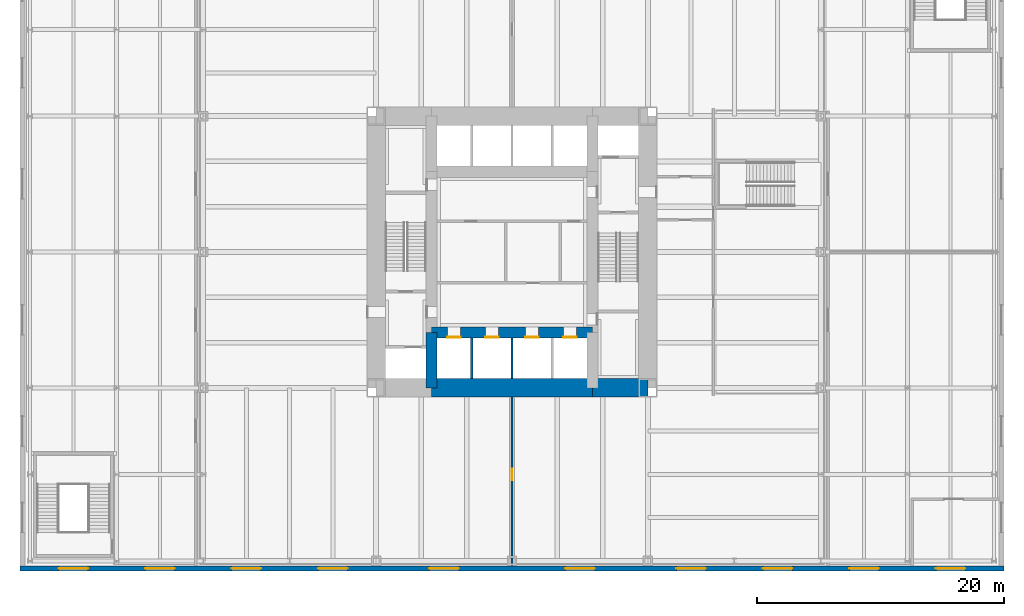
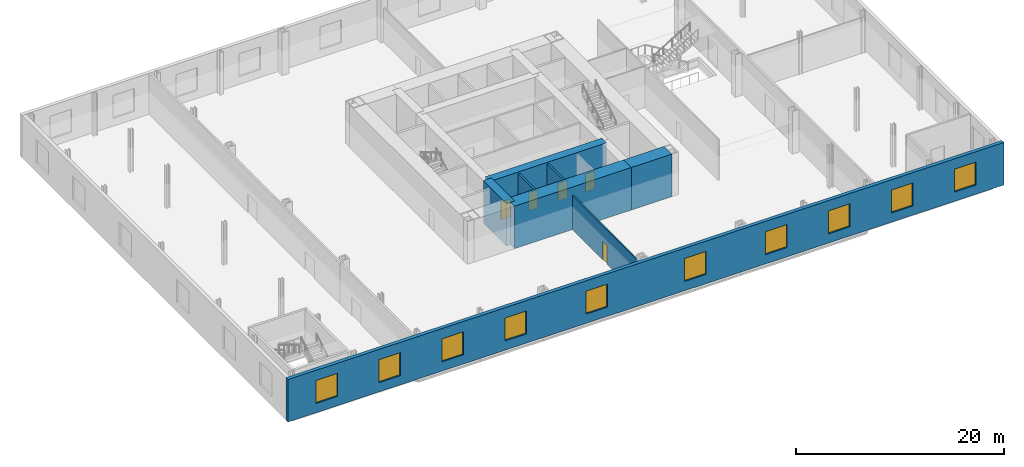
# One storey, part 8 of 13: 10 windows, 8 walls, 5 doors, 15 openings.
"""IFC4 building model written with IfcOpenShell, lengths in metres."""

from ifc_helpers import new_model, si_unit, direction, frame, frame_2d, origin, place, context, subcontext, project, spatial, rectangle, extrude, material, layer, layer_set, type_object, element, fill, save


model = new_model("IFC4")

# Units and contexts
model_context = context("Model", 3, precision=1e-05, world=origin(), true_north=direction((0.0, 1.0)))
body_context = subcontext(model_context, "Body", "Model", "MODEL_VIEW")
ifc_project = project(units=[si_unit("LENGTHUNIT", "METRE"), si_unit("AREAUNIT", "SQUARE_METRE"), si_unit("VOLUMEUNIT", "CUBIC_METRE"), si_unit("PLANEANGLEUNIT", "RADIAN"), si_unit("MASSUNIT", "GRAM", prefix="KILO")], contexts=[model_context])

# Site, building, storey
site_placement = place(None, origin())
site = spatial("IfcSite", under=ifc_project, at=site_placement, CompositionType="ELEMENT")
building_placement = place(site_placement, origin())
building = spatial("IfcBuilding", under=site, at=building_placement, Name="Trevanion Tower", CompositionType="ELEMENT")
storey_placement = place(building_placement, frame((0.0, 0.0, 6.0)))
storey = spatial("IfcBuildingStorey", under=building, at=storey_placement, Name="L01", CompositionType="ELEMENT", Elevation=6.0)

# Walls
ifc_material_1 = material(Name="Concrete 10,000 psi", Category="concrete")
ifc_layer_1 = layer(ifc_material_1, 1.5)
ifc_layer_set_1 = layer_set([ifc_layer_1], Name="CW1 core wall 1500")
wall_type_1 = type_object("IfcWallType", Name="CW1 core wall 1500", PredefinedType="SHEAR", material=ifc_layer_set_1)
wall_1_placement = place(storey_placement, frame((-6.5, -11.0, 0.0), z_axis=(0.0, 0.0, 1.0), x_axis=(1.0, 0.0, 0.0)))
element("IfcWall", 1, at=wall_1_placement, inside=storey, type_object=wall_type_1, Name="CW1 CS2 L01", PredefinedType="SHEAR", context=body_context, shape_type="SweptSolid", body=[
    extrude(rectangle(XDim=13.0, YDim=1.5, at=frame_2d((6.5, 0.0))), origin(), (0.0, 0.0, 1.0), 5.0),
])
wall_2_placement = place(storey_placement, frame((6.5, -11.0, 0.0), z_axis=(0.0, 0.0, 1.0), x_axis=(1.0, 0.0, 0.0)))
element("IfcWall", 2, at=wall_2_placement, inside=storey, type_object=wall_type_1, Name="CW1 CS3 L01", PredefinedType="SHEAR", context=body_context, shape_type="SweptSolid", body=[
    extrude(rectangle(XDim=4.5, YDim=1.5, at=frame_2d((2.25, 0.0))), origin(), (0.0, 0.0, 1.0), 5.0),
])
ifc_material_2 = material(Name="Concrete 10,000 psi", Category="concrete")
ifc_layer_2 = layer(ifc_material_2, 0.89990234375)
ifc_layer_set_2 = layer_set([ifc_layer_2], Name="CW2 core wall 900")
wall_type_2 = type_object("IfcWallType", Name="CW2 core wall 900", PredefinedType="SHEAR", material=ifc_layer_set_2)
wall_3_placement = place(storey_placement, frame((-6.5, -6.5, 0.0), z_axis=(0.0, 0.0, 1.0), x_axis=(0.0, -1.0, 0.0)))
element("IfcWall", 3, at=wall_3_placement, inside=storey, type_object=wall_type_2, Name="CW2 RW3 L01", PredefinedType="SHEAR", context=body_context, shape_type="SweptSolid", body=[
    extrude(rectangle(XDim=4.5, YDim=0.89990234375, at=frame_2d((2.25, 0.0))), origin(), (0.0, 0.0, 1.0), 5.0),
])

# Wall, openings, doors
wall_4_placement = place(storey_placement, frame((-6.5, -6.5, 0.0), z_axis=(0.0, 0.0, 1.0), x_axis=(1.0, 0.0, 0.0)))
wall_4 = element("IfcWall", 4, at=wall_4_placement, inside=storey, type_object=wall_type_2, Name="CW2 RS L01", PredefinedType="SHEAR", context=body_context, shape_type="SweptSolid", body=[
    extrude(rectangle(XDim=13.0, YDim=0.89990234375, at=frame_2d((6.5, 0.0))), origin(), (0.0, 0.0, 1.0), 5.0),
])
opening_1_placement = place(wall_4_placement, frame((1.2666015625, 0.0, 0.0)))
opening_1 = element("IfcOpeningElement", 5, at=opening_1_placement, cuts=wall_4, Name="Opening 01-011", PredefinedType="OPENING", context=body_context, shape_type="SweptSolid", body=[
    extrude(rectangle(XDim=1.06689453125, YDim=2.134033203125, at=frame_2d((0.533447265625, 1.06689453125))), frame((0.0, 0.4599609375, 0.0), z_axis=(0.0, -1.0, 0.0), x_axis=(1.0, 0.0, 0.0)), (0.0, 0.0, 1.0), 0.919921875),
])
opening_2_placement = place(wall_4_placement, frame((4.341552734375, 0.0, 0.0)))
opening_2 = element("IfcOpeningElement", 6, at=opening_2_placement, cuts=wall_4, Name="Opening 01-012", PredefinedType="OPENING", context=body_context, shape_type="SweptSolid", body=[
    extrude(rectangle(XDim=1.06689453125, YDim=2.134033203125, at=frame_2d((0.533447265625, 1.06689453125))), frame((0.0, 0.4599609375, 0.0), z_axis=(0.0, -1.0, 0.0), x_axis=(1.0, 0.0, 0.0)), (0.0, 0.0, 1.0), 0.919921875),
])
opening_3_placement = place(wall_4_placement, frame((7.591552734375, 0.0, 0.0)))
opening_3 = element("IfcOpeningElement", 7, at=opening_3_placement, cuts=wall_4, Name="Opening 01-013", PredefinedType="OPENING", context=body_context, shape_type="SweptSolid", body=[
    extrude(rectangle(XDim=1.06689453125, YDim=2.134033203125, at=frame_2d((0.533447265625, 1.06689453125))), frame((0.0, 0.4599609375, 0.0), z_axis=(0.0, -1.0, 0.0), x_axis=(1.0, 0.0, 0.0)), (0.0, 0.0, 1.0), 0.919921875),
])
opening_4_placement = place(wall_4_placement, frame((10.66650390625, 0.0, 0.0)))
opening_4 = element("IfcOpeningElement", 8, at=opening_4_placement, cuts=wall_4, Name="Opening 01-014", PredefinedType="OPENING", context=body_context, shape_type="SweptSolid", body=[
    extrude(rectangle(XDim=1.06689453125, YDim=2.134033203125, at=frame_2d((0.533447265625, 1.06689453125))), frame((0.0, 0.4599609375, 0.0), z_axis=(0.0, -1.0, 0.0), x_axis=(1.0, 0.0, 0.0)), (0.0, 0.0, 1.0), 0.919921875),
])
ifc_material_3 = material(Name="Stainless steel, fire rated", Category="steel")
door_type_1 = type_object("IfcDoorType", Name="LD1 lift landing door", OperationType="SLIDING_TO_LEFT", PredefinedType="DOOR", material=ifc_material_3)
door_1_placement = place(opening_1_placement, origin())
door_1 = element("IfcDoor", 9, at=door_1_placement, inside=storey, type_object=door_type_1, Name="Door 01-011", OperationType="SLIDING_TO_LEFT", OverallHeight=2.134033203125, OverallWidth=1.06689453125, PredefinedType="DOOR", context=body_context, shape_type="SweptSolid", body=[
    extrude(rectangle(XDim=1.06689453125, YDim=2.134033203125, at=frame_2d((0.533447265625, 1.06689453125))), frame((0.0, -0.375, 0.0), z_axis=(0.0, -1.0, 0.0), x_axis=(1.0, 0.0, 0.0)), (0.0, 0.0, 1.0), 0.050048828125),
])
fill(opening_1, door_1)
door_2_placement = place(opening_2_placement, origin())
door_2 = element("IfcDoor", 10, at=door_2_placement, inside=storey, type_object=door_type_1, Name="Door 01-012", OperationType="SLIDING_TO_LEFT", OverallHeight=2.134033203125, OverallWidth=1.06689453125, PredefinedType="DOOR", context=body_context, shape_type="SweptSolid", body=[
    extrude(rectangle(XDim=1.06689453125, YDim=2.134033203125, at=frame_2d((0.533447265625, 1.06689453125))), frame((0.0, -0.375, 0.0), z_axis=(0.0, -1.0, 0.0), x_axis=(1.0, 0.0, 0.0)), (0.0, 0.0, 1.0), 0.050048828125),
])
fill(opening_2, door_2)
door_3_placement = place(opening_3_placement, origin())
door_3 = element("IfcDoor", 11, at=door_3_placement, inside=storey, type_object=door_type_1, Name="Door 01-013", OperationType="SLIDING_TO_LEFT", OverallHeight=2.134033203125, OverallWidth=1.06689453125, PredefinedType="DOOR", context=body_context, shape_type="SweptSolid", body=[
    extrude(rectangle(XDim=1.06689453125, YDim=2.134033203125, at=frame_2d((0.533447265625, 1.06689453125))), frame((0.0, -0.375, 0.0), z_axis=(0.0, -1.0, 0.0), x_axis=(1.0, 0.0, 0.0)), (0.0, 0.0, 1.0), 0.050048828125),
])
fill(opening_3, door_3)
door_4_placement = place(opening_4_placement, origin())
door_4 = element("IfcDoor", 12, at=door_4_placement, inside=storey, type_object=door_type_1, Name="Door 01-014", OperationType="SLIDING_TO_LEFT", OverallHeight=2.134033203125, OverallWidth=1.06689453125, PredefinedType="DOOR", context=body_context, shape_type="SweptSolid", body=[
    extrude(rectangle(XDim=1.06689453125, YDim=2.134033203125, at=frame_2d((0.533447265625, 1.06689453125))), frame((0.0, -0.375, 0.0), z_axis=(0.0, -1.0, 0.0), x_axis=(1.0, 0.0, 0.0)), (0.0, 0.0, 1.0), 0.050048828125),
])
fill(opening_4, door_4)

# Wall, openings, windows
ifc_material_4 = material(Name="Granite cladding on concrete masonry", Category="masonry")
ifc_layer_3 = layer(ifc_material_4, 0.39990234375)
ifc_layer_set_3 = layer_set([ifc_layer_3], Name="EW1 granite-faced wall 400")
wall_type_3 = type_object("IfcWallType", Name="EW1 granite-faced wall 400", PredefinedType="SOLIDWALL", material=ifc_layer_set_3)
wall_5_placement = place(storey_placement, frame((-39.820068359375, -25.6201171875, -0.18994140625), z_axis=(0.0, 0.0, 1.0), x_axis=(1.0, 0.0, 0.0)))
wall_5 = element("IfcWall", 13, at=wall_5_placement, inside=storey, type_object=wall_type_3, Name="EW1 S L01", PredefinedType="SOLIDWALL", context=body_context, shape_type="SweptSolid", body=[
    extrude(rectangle(XDim=79.64013671875, YDim=0.39990234375, at=frame_2d((39.820068359375, 0.0))), origin(), (0.0, 0.0, 1.0), 5.0),
])
opening_5_placement = place(wall_5_placement, frame((3.1201171875, 0.0, 1.090087890625)))
opening_5 = element("IfcOpeningElement", 14, at=opening_5_placement, cuts=wall_5, Name="Opening WN2", PredefinedType="OPENING", context=body_context, shape_type="SweptSolid", body=[
    extrude(rectangle(XDim=2.39990234375, YDim=2.699951171875, at=frame_2d((1.199951171875, 1.35009765625))), frame((0.0, 0.2099609375, 0.0), z_axis=(0.0, -1.0, 0.0), x_axis=(1.0, 0.0, 0.0)), (0.0, 0.0, 1.0), 0.419921875),
])
opening_6_placement = place(wall_5_placement, frame((10.1201171875, 0.0, 1.090087890625)))
opening_6 = element("IfcOpeningElement", 15, at=opening_6_placement, cuts=wall_5, Name="Opening WN2", PredefinedType="OPENING", context=body_context, shape_type="SweptSolid", body=[
    extrude(rectangle(XDim=2.39990234375, YDim=2.699951171875, at=frame_2d((1.199951171875, 1.35009765625))), frame((0.0, 0.2099609375, 0.0), z_axis=(0.0, -1.0, 0.0), x_axis=(1.0, 0.0, 0.0)), (0.0, 0.0, 1.0), 0.419921875),
])
opening_7_placement = place(wall_5_placement, frame((17.1201171875, 0.0, 1.090087890625)))
opening_7 = element("IfcOpeningElement", 16, at=opening_7_placement, cuts=wall_5, Name="Opening WN2", PredefinedType="OPENING", context=body_context, shape_type="SweptSolid", body=[
    extrude(rectangle(XDim=2.39990234375, YDim=2.699951171875, at=frame_2d((1.199951171875, 1.35009765625))), frame((0.0, 0.2099609375, 0.0), z_axis=(0.0, -1.0, 0.0), x_axis=(1.0, 0.0, 0.0)), (0.0, 0.0, 1.0), 0.419921875),
])
opening_8_placement = place(wall_5_placement, frame((24.1201171875, 0.0, 1.090087890625)))
opening_8 = element("IfcOpeningElement", 17, at=opening_8_placement, cuts=wall_5, Name="Opening WN2", PredefinedType="OPENING", context=body_context, shape_type="SweptSolid", body=[
    extrude(rectangle(XDim=2.39990234375, YDim=2.699951171875, at=frame_2d((1.199951171875, 1.35009765625))), frame((0.0, 0.2099609375, 0.0), z_axis=(0.0, -1.0, 0.0), x_axis=(1.0, 0.0, 0.0)), (0.0, 0.0, 1.0), 0.419921875),
])
opening_9_placement = place(wall_5_placement, frame((33.1201171875, 0.0, 1.090087890625)))
opening_9 = element("IfcOpeningElement", 18, at=opening_9_placement, cuts=wall_5, Name="Opening WN2", PredefinedType="OPENING", context=body_context, shape_type="SweptSolid", body=[
    extrude(rectangle(XDim=2.39990234375, YDim=2.699951171875, at=frame_2d((1.199951171875, 1.35009765625))), frame((0.0, 0.2099609375, 0.0), z_axis=(0.0, -1.0, 0.0), x_axis=(1.0, 0.0, 0.0)), (0.0, 0.0, 1.0), 0.419921875),
])
opening_10_placement = place(wall_5_placement, frame((44.1201171875, 0.0, 1.090087890625)))
opening_10 = element("IfcOpeningElement", 19, at=opening_10_placement, cuts=wall_5, Name="Opening WN2", PredefinedType="OPENING", context=body_context, shape_type="SweptSolid", body=[
    extrude(rectangle(XDim=2.39990234375, YDim=2.699951171875, at=frame_2d((1.199951171875, 1.35009765625))), frame((0.0, 0.2099609375, 0.0), z_axis=(0.0, -1.0, 0.0), x_axis=(1.0, 0.0, 0.0)), (0.0, 0.0, 1.0), 0.419921875),
])
opening_11_placement = place(wall_5_placement, frame((53.1201171875, 0.0, 1.090087890625)))
opening_11 = element("IfcOpeningElement", 20, at=opening_11_placement, cuts=wall_5, Name="Opening WN2", PredefinedType="OPENING", context=body_context, shape_type="SweptSolid", body=[
    extrude(rectangle(XDim=2.39990234375, YDim=2.699951171875, at=frame_2d((1.199951171875, 1.35009765625))), frame((0.0, 0.2099609375, 0.0), z_axis=(0.0, -1.0, 0.0), x_axis=(1.0, 0.0, 0.0)), (0.0, 0.0, 1.0), 0.419921875),
])
opening_12_placement = place(wall_5_placement, frame((60.1201171875, 0.0, 1.090087890625)))
opening_12 = element("IfcOpeningElement", 21, at=opening_12_placement, cuts=wall_5, Name="Opening WN2", PredefinedType="OPENING", context=body_context, shape_type="SweptSolid", body=[
    extrude(rectangle(XDim=2.39990234375, YDim=2.699951171875, at=frame_2d((1.199951171875, 1.35009765625))), frame((0.0, 0.2099609375, 0.0), z_axis=(0.0, -1.0, 0.0), x_axis=(1.0, 0.0, 0.0)), (0.0, 0.0, 1.0), 0.419921875),
])
opening_13_placement = place(wall_5_placement, frame((67.1201171875, 0.0, 1.090087890625)))
opening_13 = element("IfcOpeningElement", 22, at=opening_13_placement, cuts=wall_5, Name="Opening WN2", PredefinedType="OPENING", context=body_context, shape_type="SweptSolid", body=[
    extrude(rectangle(XDim=2.39990234375, YDim=2.699951171875, at=frame_2d((1.199951171875, 1.35009765625))), frame((0.0, 0.2099609375, 0.0), z_axis=(0.0, -1.0, 0.0), x_axis=(1.0, 0.0, 0.0)), (0.0, 0.0, 1.0), 0.419921875),
])
opening_14_placement = place(wall_5_placement, frame((74.1201171875, 0.0, 1.090087890625)))
opening_14 = element("IfcOpeningElement", 23, at=opening_14_placement, cuts=wall_5, Name="Opening WN2", PredefinedType="OPENING", context=body_context, shape_type="SweptSolid", body=[
    extrude(rectangle(XDim=2.39990234375, YDim=2.699951171875, at=frame_2d((1.199951171875, 1.35009765625))), frame((0.0, 0.2099609375, 0.0), z_axis=(0.0, -1.0, 0.0), x_axis=(1.0, 0.0, 0.0)), (0.0, 0.0, 1.0), 0.419921875),
])
ifc_material_5 = material(Name="Bronze-finish aluminium frame, insulating glass", Category="aluminium")
window_type = type_object("IfcWindowType", Name="WN2 window 2400x2700", PartitioningType="SINGLE_PANEL", PredefinedType="WINDOW", material=ifc_material_5)
window_1_placement = place(opening_5_placement, origin())
window_1 = element("IfcWindow", 24, at=window_1_placement, inside=storey, type_object=window_type, Name="WN2 S L01", OverallHeight=2.699951171875, OverallWidth=2.39990234375, PartitioningType="SINGLE_PANEL", PredefinedType="WINDOW", context=body_context, shape_type="SweptSolid", body=[
    extrude(rectangle(XDim=2.39990234375, YDim=2.699951171875, at=frame_2d((1.199951171875, 1.35009765625))), frame((0.0, 0.030029296875, 0.0), z_axis=(0.0, -1.0, 0.0), x_axis=(1.0, 0.0, 0.0)), (0.0, 0.0, 1.0), 0.06005859375),
])
fill(opening_5, window_1)
window_2_placement = place(opening_6_placement, origin())
window_2 = element("IfcWindow", 25, at=window_2_placement, inside=storey, type_object=window_type, Name="WN2 S L01", OverallHeight=2.699951171875, OverallWidth=2.39990234375, PartitioningType="SINGLE_PANEL", PredefinedType="WINDOW", context=body_context, shape_type="SweptSolid", body=[
    extrude(rectangle(XDim=2.39990234375, YDim=2.699951171875, at=frame_2d((1.199951171875, 1.35009765625))), frame((0.0, 0.030029296875, 0.0), z_axis=(0.0, -1.0, 0.0), x_axis=(1.0, 0.0, 0.0)), (0.0, 0.0, 1.0), 0.06005859375),
])
fill(opening_6, window_2)
window_3_placement = place(opening_7_placement, origin())
window_3 = element("IfcWindow", 26, at=window_3_placement, inside=storey, type_object=window_type, Name="WN2 S L01", OverallHeight=2.699951171875, OverallWidth=2.39990234375, PartitioningType="SINGLE_PANEL", PredefinedType="WINDOW", context=body_context, shape_type="SweptSolid", body=[
    extrude(rectangle(XDim=2.39990234375, YDim=2.699951171875, at=frame_2d((1.199951171875, 1.35009765625))), frame((0.0, 0.030029296875, 0.0), z_axis=(0.0, -1.0, 0.0), x_axis=(1.0, 0.0, 0.0)), (0.0, 0.0, 1.0), 0.06005859375),
])
fill(opening_7, window_3)
window_4_placement = place(opening_8_placement, origin())
window_4 = element("IfcWindow", 27, at=window_4_placement, inside=storey, type_object=window_type, Name="WN2 S L01", OverallHeight=2.699951171875, OverallWidth=2.39990234375, PartitioningType="SINGLE_PANEL", PredefinedType="WINDOW", context=body_context, shape_type="SweptSolid", body=[
    extrude(rectangle(XDim=2.39990234375, YDim=2.699951171875, at=frame_2d((1.199951171875, 1.35009765625))), frame((0.0, 0.030029296875, 0.0), z_axis=(0.0, -1.0, 0.0), x_axis=(1.0, 0.0, 0.0)), (0.0, 0.0, 1.0), 0.06005859375),
])
fill(opening_8, window_4)
window_5_placement = place(opening_9_placement, origin())
window_5 = element("IfcWindow", 28, at=window_5_placement, inside=storey, type_object=window_type, Name="WN2 S L01", OverallHeight=2.699951171875, OverallWidth=2.39990234375, PartitioningType="SINGLE_PANEL", PredefinedType="WINDOW", context=body_context, shape_type="SweptSolid", body=[
    extrude(rectangle(XDim=2.39990234375, YDim=2.699951171875, at=frame_2d((1.199951171875, 1.35009765625))), frame((0.0, 0.030029296875, 0.0), z_axis=(0.0, -1.0, 0.0), x_axis=(1.0, 0.0, 0.0)), (0.0, 0.0, 1.0), 0.06005859375),
])
fill(opening_9, window_5)
window_6_placement = place(opening_10_placement, origin())
window_6 = element("IfcWindow", 29, at=window_6_placement, inside=storey, type_object=window_type, Name="WN2 S L01", OverallHeight=2.699951171875, OverallWidth=2.39990234375, PartitioningType="SINGLE_PANEL", PredefinedType="WINDOW", context=body_context, shape_type="SweptSolid", body=[
    extrude(rectangle(XDim=2.39990234375, YDim=2.699951171875, at=frame_2d((1.199951171875, 1.35009765625))), frame((0.0, 0.030029296875, 0.0), z_axis=(0.0, -1.0, 0.0), x_axis=(1.0, 0.0, 0.0)), (0.0, 0.0, 1.0), 0.06005859375),
])
fill(opening_10, window_6)
window_7_placement = place(opening_11_placement, origin())
window_7 = element("IfcWindow", 30, at=window_7_placement, inside=storey, type_object=window_type, Name="WN2 S L01", OverallHeight=2.699951171875, OverallWidth=2.39990234375, PartitioningType="SINGLE_PANEL", PredefinedType="WINDOW", context=body_context, shape_type="SweptSolid", body=[
    extrude(rectangle(XDim=2.39990234375, YDim=2.699951171875, at=frame_2d((1.199951171875, 1.35009765625))), frame((0.0, 0.030029296875, 0.0), z_axis=(0.0, -1.0, 0.0), x_axis=(1.0, 0.0, 0.0)), (0.0, 0.0, 1.0), 0.06005859375),
])
fill(opening_11, window_7)
window_8_placement = place(opening_12_placement, origin())
window_8 = element("IfcWindow", 31, at=window_8_placement, inside=storey, type_object=window_type, Name="WN2 S L01", OverallHeight=2.699951171875, OverallWidth=2.39990234375, PartitioningType="SINGLE_PANEL", PredefinedType="WINDOW", context=body_context, shape_type="SweptSolid", body=[
    extrude(rectangle(XDim=2.39990234375, YDim=2.699951171875, at=frame_2d((1.199951171875, 1.35009765625))), frame((0.0, 0.030029296875, 0.0), z_axis=(0.0, -1.0, 0.0), x_axis=(1.0, 0.0, 0.0)), (0.0, 0.0, 1.0), 0.06005859375),
])
fill(opening_12, window_8)
window_9_placement = place(opening_13_placement, origin())
window_9 = element("IfcWindow", 32, at=window_9_placement, inside=storey, type_object=window_type, Name="WN2 S L01", OverallHeight=2.699951171875, OverallWidth=2.39990234375, PartitioningType="SINGLE_PANEL", PredefinedType="WINDOW", context=body_context, shape_type="SweptSolid", body=[
    extrude(rectangle(XDim=2.39990234375, YDim=2.699951171875, at=frame_2d((1.199951171875, 1.35009765625))), frame((0.0, 0.030029296875, 0.0), z_axis=(0.0, -1.0, 0.0), x_axis=(1.0, 0.0, 0.0)), (0.0, 0.0, 1.0), 0.06005859375),
])
fill(opening_13, window_9)
window_10_placement = place(opening_14_placement, origin())
window_10 = element("IfcWindow", 33, at=window_10_placement, inside=storey, type_object=window_type, Name="WN2 S L01", OverallHeight=2.699951171875, OverallWidth=2.39990234375, PartitioningType="SINGLE_PANEL", PredefinedType="WINDOW", context=body_context, shape_type="SweptSolid", body=[
    extrude(rectangle(XDim=2.39990234375, YDim=2.699951171875, at=frame_2d((1.199951171875, 1.35009765625))), frame((0.0, 0.030029296875, 0.0), z_axis=(0.0, -1.0, 0.0), x_axis=(1.0, 0.0, 0.0)), (0.0, 0.0, 1.0), 0.06005859375),
])
fill(opening_14, window_10)

# Wall, opening, door
ifc_material_6 = material(Name="Gypsum board on steel studs", Category="steel")
ifc_layer_4 = layer(ifc_material_6, 0.14990234375)
ifc_layer_set_4 = layer_set([ifc_layer_4], Name="PT1 partition 150")
wall_type_4 = type_object("IfcWallType", Name="PT1 partition 150", PredefinedType="PARTITIONING", material=ifc_layer_set_4)
wall_6_placement = place(storey_placement, frame((0.0, -11.75, 0.0), z_axis=(0.0, 0.0, 1.0), x_axis=(0.0, -1.0, 0.0)))
wall_6 = element("IfcWall", 34, at=wall_6_placement, inside=storey, type_object=wall_type_4, Name="PT1 L01 XS", PredefinedType="PARTITIONING", context=body_context, shape_type="SweptSolid", body=[
    extrude(rectangle(XDim=13.659912109375, YDim=0.14990234375, at=frame_2d((6.830078125, 0.0))), origin(), (0.0, 0.0, 1.0), 4.00732421875),
])
opening_15_placement = place(wall_6_placement, frame((5.79248046875, 0.0, 0.0)))
opening_15 = element("IfcOpeningElement", 35, at=opening_15_placement, cuts=wall_6, Name="Opening 01-026", PredefinedType="OPENING", context=body_context, shape_type="SweptSolid", body=[
    extrude(rectangle(XDim=0.9150390625, YDim=2.134033203125, at=frame_2d((0.45751953125, 1.06689453125))), frame((0.0, 0.0849609375, 0.0), z_axis=(0.0, -1.0, 0.0), x_axis=(1.0, 0.0, 0.0)), (0.0, 0.0, 1.0), 0.169921875),
])
ifc_material_7 = material(Name="Timber veneer, solid core", Category="wood")
door_type_2 = type_object("IfcDoorType", Name="D1 office and meeting room door", OperationType="SINGLE_SWING_LEFT", PredefinedType="DOOR", material=ifc_material_7)
door_5_placement = place(opening_15_placement, origin())
door_5 = element("IfcDoor", 36, at=door_5_placement, inside=storey, type_object=door_type_2, Name="Door 01-026", OperationType="SINGLE_SWING_LEFT", OverallHeight=2.134033203125, OverallWidth=0.9150390625, PredefinedType="DOOR", context=body_context, shape_type="SweptSolid", body=[
    extrude(rectangle(XDim=0.9150390625, YDim=2.134033203125, at=frame_2d((0.45751953125, 1.06689453125))), frame((0.0, 0.02490234375, 0.0), z_axis=(0.0, -1.0, 0.0), x_axis=(1.0, 0.0, 0.0)), (0.0, 0.0, 1.0), 0.050048828125),
])
fill(opening_15, door_5)

# Walls
ifc_material_8 = material(Name="Concrete masonry, grouted", Category="masonry")
ifc_layer_5 = layer(ifc_material_8, 0.199951171875)
ifc_layer_set_5 = layer_set([ifc_layer_5], Name="PT2 partition 200 2 HR")
wall_type_5 = type_object("IfcWallType", Name="PT2 partition 200 2 HR", PredefinedType="PARTITIONING", material=ifc_layer_set_5)
for number, where, z_axis, x_axis, name in (
    (37, (-3.25, -10.25, 0.0), (0.0, 0.0, 1.0), (0.0, 1.0, 0.0), "PT2 L01 SS0"),
    (38, (0.0, -10.25, 0.0), (0.0, 0.0, 1.0), (0.0, 1.0, 0.0), "PT2 L01 SS1"),
):
    element("IfcWall", number, at=place(storey_placement, frame(where, z_axis=z_axis, x_axis=x_axis)), inside=storey, type_object=wall_type_5, Name=name, PredefinedType="PARTITIONING", context=body_context, shape_type="SweptSolid", body=[
        extrude(rectangle(XDim=3.300048828125, YDim=0.199951171875, at=frame_2d((1.64990234375, 0.0))), origin(), (0.0, 0.0, 1.0), 4.81005859375),
    ])

save(model, "model.ifc")
